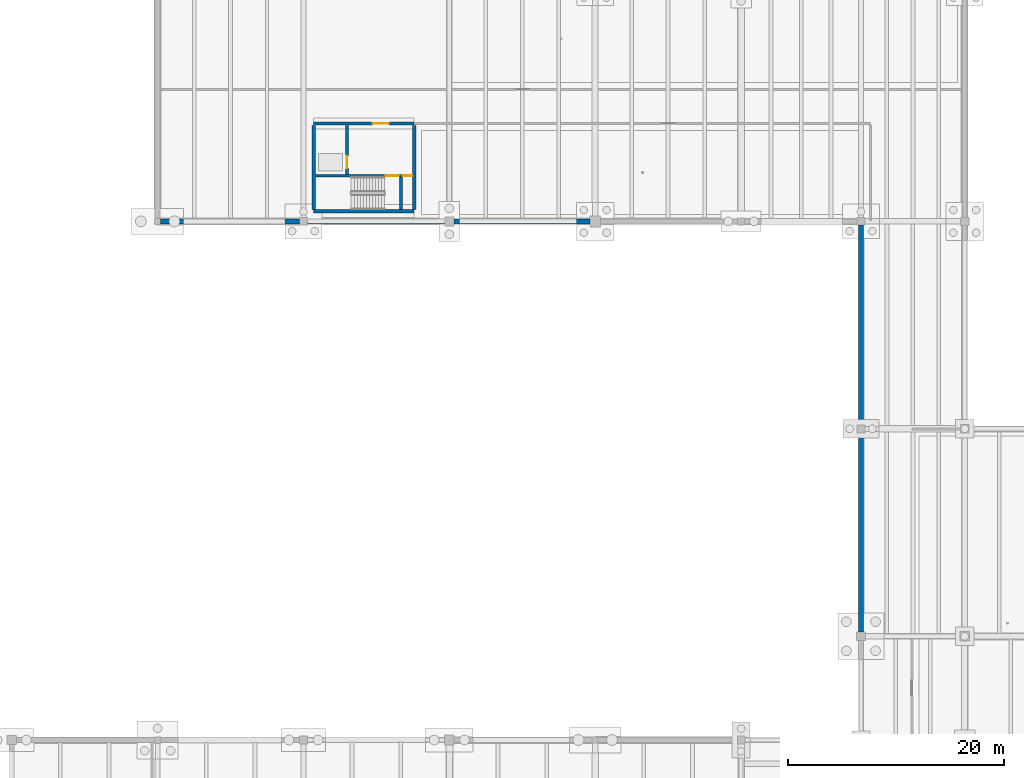
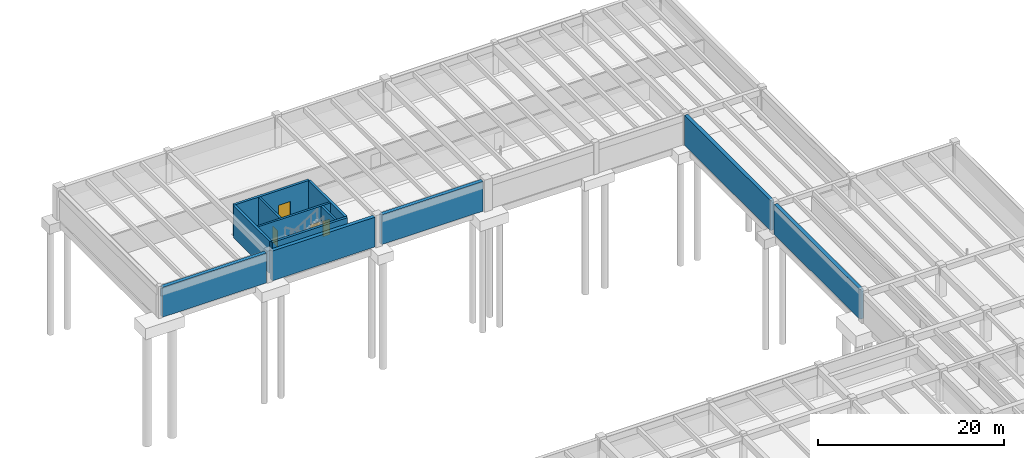
# One storey, part 19 of 41: 12 walls, 4 doors, 4 openings.
"""IFC4 building model written with IfcOpenShell, lengths in metres."""

from ifc_helpers import new_model, si_unit, direction, frame, frame_2d, origin, place, context, subcontext, project, spatial, rectangle, extrude, material, layer, layer_set, type_object, element, fill, save


model = new_model("IFC4")

# Units and contexts
model_context = context("Model", 3, precision=1e-05, world=origin(), true_north=direction((0.0, 1.0)))
body_context = subcontext(model_context, "Body", "Model", "MODEL_VIEW")
ifc_project = project(units=[si_unit("LENGTHUNIT", "METRE"), si_unit("AREAUNIT", "SQUARE_METRE"), si_unit("VOLUMEUNIT", "CUBIC_METRE"), si_unit("PLANEANGLEUNIT", "RADIAN"), si_unit("MASSUNIT", "GRAM", prefix="KILO")], contexts=[model_context])

# Site, building, storey
site_placement = place(None, origin())
site = spatial("IfcSite", under=ifc_project, at=site_placement, CompositionType="ELEMENT")
building_placement = place(site_placement, origin())
building = spatial("IfcBuilding", under=site, at=building_placement, Name="Fikremerkos Civic Library", CompositionType="ELEMENT")
storey_placement = place(building_placement, frame((0.0, 0.0, -8.39990234375)))
storey = spatial("IfcBuildingStorey", under=building, at=storey_placement, Name="B02", CompositionType="ELEMENT", Elevation=-8.39990234375)

# Walls
ifc_material_1 = material(Name="Concrete C40/50", Category="concrete")
ifc_layer_1 = layer(ifc_material_1, 0.449951171875, Name="Concrete C40/50")
ifc_layer_set_1 = layer_set([ifc_layer_1], Name="Concrete C40/50")
wall_type_1 = type_object("IfcWallType", Name="Basement retaining wall BRW-01 450", PredefinedType="USERDEFINED", material=ifc_layer_set_1)
wall_1_placement = place(storey_placement, frame((124.800048828125, 57.998046875, 0.0), z_axis=(0.0, 0.0, 1.0), x_axis=(0.0, 1.0, 0.0)))
element("IfcWall", 1, at=wall_1_placement, inside=storey, type_object=wall_type_1, Name="Basement retaining wall BRW-01 B02 #46", ObjectType="RETAINING WALL", PredefinedType="USERDEFINED", context=body_context, shape_type="SweptSolid", body=[
    extrude(rectangle(XDim=18.428955078125, YDim=0.449951171875, at=frame_2d((9.21435546875, 0.0))), origin(), (0.0, 0.0, 1.0), 3.89990234375),
])
wall_2_placement = place(storey_placement, frame((124.800048828125, 77.173095703125, 0.0), z_axis=(0.0, 0.0, 1.0), x_axis=(0.0, 1.0, 0.0)))
element("IfcWall", 2, at=wall_2_placement, inside=storey, type_object=wall_type_1, Name="Basement retaining wall BRW-01 B02 #47", ObjectType="RETAINING WALL", PredefinedType="USERDEFINED", context=body_context, shape_type="SweptSolid", body=[
    extrude(rectangle(XDim=18.47900390625, YDim=0.449951171875, at=frame_2d((9.239501953125, 0.0))), origin(), (0.0, 0.0, 1.0), 3.919921875),
])
wall_3_placement = place(storey_placement, frame((99.701904296875, 96.0, 0.0), z_axis=(0.0, 0.0, 1.0), x_axis=(-1.0, 0.0, 0.0)))
element("IfcWall", 3, at=wall_3_placement, inside=storey, type_object=wall_type_1, Name="Basement retaining wall BRW-01 B02 #50", ObjectType="RETAINING WALL", PredefinedType="USERDEFINED", context=body_context, shape_type="SweptSolid", body=[
    extrude(rectangle(XDim=12.578857421875, YDim=0.449951171875, at=frame_2d((6.28955078125, 0.0))), origin(), (0.0, 0.0, 1.0), 3.89990234375),
])
wall_4_placement = place(storey_placement, frame((86.277099609375, 96.0, 0.0), z_axis=(0.0, 0.0, 1.0), x_axis=(-1.0, 0.0, 0.0)))
element("IfcWall", 4, at=wall_4_placement, inside=storey, type_object=wall_type_1, Name="Basement retaining wall BRW-01 B02 #51", ObjectType="RETAINING WALL", PredefinedType="USERDEFINED", context=body_context, shape_type="SweptSolid", body=[
    extrude(rectangle(XDim=12.72900390625, YDim=0.449951171875, at=frame_2d((6.364501953125, 0.0))), origin(), (0.0, 0.0, 1.0), 3.89990234375),
])
wall_5_placement = place(storey_placement, frame((72.85205078125, 96.0, 0.0), z_axis=(0.0, 0.0, 1.0), x_axis=(-1.0, 0.0, 0.0)))
element("IfcWall", 5, at=wall_5_placement, inside=storey, type_object=wall_type_1, Name="Basement retaining wall BRW-01 B02 #52", ObjectType="RETAINING WALL", PredefinedType="USERDEFINED", context=body_context, shape_type="SweptSolid", body=[
    extrude(rectangle(XDim=12.879150390625, YDim=0.449951171875, at=frame_2d((6.439453125, 0.0))), origin(), (0.0, 0.0, 1.0), 3.89990234375),
])
ifc_layer_2 = layer(ifc_material_1, 0.300048828125, Name="Concrete C40/50")
ifc_layer_set_2 = layer_set([ifc_layer_2], Name="Concrete C40/50")
wall_type_2 = type_object("IfcWallType", Name="Core shear wall CSW-01 300", PredefinedType="SHEAR", material=ifc_layer_set_2)
wall_6_placement = place(storey_placement, frame((83.449951171875, 96.949951171875, 0.0), z_axis=(0.0, 0.0, 1.0), x_axis=(-1.0, 0.0, 0.0)))
element("IfcWall", 6, at=wall_6_placement, inside=storey, type_object=wall_type_2, Name="Core K5 south shear wall B02", PredefinedType="SHEAR", context=body_context, shape_type="SweptSolid", body=[
    extrude(rectangle(XDim=9.300048828125, YDim=0.300048828125, at=frame_2d((4.64990234375, 0.0))), origin(), (0.0, 0.0, 1.0), 4.199951171875),
])

# Wall, opening, door
wall_7_placement = place(storey_placement, frame((74.14990234375, 105.050048828125, 0.0), z_axis=(0.0, 0.0, 1.0), x_axis=(1.0, 0.0, 0.0)))
wall_7 = element("IfcWall", 7, at=wall_7_placement, inside=storey, type_object=wall_type_2, Name="Core K5 north shear wall B02", PredefinedType="SHEAR", context=body_context, shape_type="SweptSolid", body=[
    extrude(rectangle(XDim=9.300048828125, YDim=0.300048828125, at=frame_2d((4.64990234375, 0.0))), origin(), (0.0, 0.0, 1.0), 4.199951171875),
])
opening_1_placement = place(wall_7_placement, frame((5.449951171875, 0.0, 0.0)))
opening_1 = element("IfcOpeningElement", 8, at=opening_1_placement, cuts=wall_7, Name="Opening D116", PredefinedType="OPENING", context=body_context, shape_type="SweptSolid", body=[
    extrude(rectangle(XDim=1.5, YDim=2.25, at=frame_2d((0.75, 1.125))), frame((0.0, 0.159912109375, 0.0), z_axis=(0.0, -1.0, 0.0), x_axis=(1.0, 0.0, 0.0)), (0.0, 0.0, 1.0), 0.320068359375),
])
ifc_material_2 = material(Name="Hardwood timber and acoustic glass", Category="wood")
door_type_1 = type_object("IfcDoorType", Name="Pedestrian door DT-05 1500x2250", OperationType="NOTDEFINED", PredefinedType="DOOR", material=ifc_material_2)
door_1_placement = place(opening_1_placement, origin())
door_1 = element("IfcDoor", 9, at=door_1_placement, inside=storey, type_object=door_type_1, Name="Core K5 lobby fire door D116 B02", OperationType="SINGLE_SWING_RIGHT", OverallHeight=2.25, OverallWidth=1.5, PredefinedType="DOOR", context=body_context, shape_type="SweptSolid", body=[
    extrude(rectangle(XDim=1.5, YDim=2.25, at=frame_2d((0.75, 1.125))), frame((0.0, 0.032470703125, 0.0), z_axis=(0.0, -1.0, 0.0), x_axis=(1.0, 0.0, 0.0)), (0.0, 0.0, 1.0), 0.06494140625),
])
fill(opening_1, door_1)

# Walls
for number, where, z_axis, x_axis, name in (
    (10, (74.14990234375, 97.10205078125, 0.0), (0.0, 0.0, 1.0), (0.0, 1.0, 0.0), "Core K5 west shear wall B02"),
    (11, (83.449951171875, 104.89794921875, 0.0), (0.0, 0.0, 1.0), (0.0, -1.0, 0.0), "Core K5 east shear wall B02"),
):
    element("IfcWall", number, at=place(storey_placement, frame(where, z_axis=z_axis, x_axis=x_axis)), inside=storey, type_object=wall_type_2, Name=name, PredefinedType="SHEAR", context=body_context, shape_type="SweptSolid", body=[
        extrude(rectangle(XDim=7.7958984375, YDim=0.300048828125, at=frame_2d((3.89794921875, 0.0))), origin(), (0.0, 0.0, 1.0), 4.199951171875),
    ])

# Wall, openings, doors
ifc_layer_3 = layer(ifc_material_1, 0.260009765625, Name="Concrete C40/50")
ifc_layer_set_3 = layer_set([ifc_layer_3], Name="Concrete C40/50")
wall_type_3 = type_object("IfcWallType", Name="Core shear wall CSW-02 260", PredefinedType="SHEAR", material=ifc_layer_set_3)
wall_8_placement = place(storey_placement, frame((74.302001953125, 100.22998046875, 0.0), z_axis=(0.0, 0.0, 1.0), x_axis=(1.0, 0.0, 0.0)))
wall_8 = element("IfcWall", 12, at=wall_8_placement, inside=storey, type_object=wall_type_3, Name="Core K5 stair compartment wall B02", PredefinedType="SHEAR", context=body_context, shape_type="SweptSolid", body=[
    extrude(rectangle(XDim=8.99609375, YDim=0.260009765625, at=frame_2d((4.498046875, 0.0))), origin(), (0.0, 0.0, 1.0), 4.199951171875),
])
opening_2_placement = place(wall_8_placement, frame((6.498046875, 0.0, 0.0)))
opening_2 = element("IfcOpeningElement", 13, at=opening_2_placement, cuts=wall_8, Name="Opening D117", PredefinedType="OPENING", context=body_context, shape_type="SweptSolid", body=[
    extrude(rectangle(XDim=1.199951171875, YDim=2.199951171875, at=frame_2d((0.60009765625, 1.10009765625))), frame((0.0, 0.139892578125, 0.0), z_axis=(0.0, -1.0, 0.0), x_axis=(1.0, 0.0, 0.0)), (0.0, 0.0, 1.0), 0.280029296875),
])
opening_3_placement = place(wall_8_placement, frame((8.10302734375, 0.0, 0.0)))
opening_3 = element("IfcOpeningElement", 14, at=opening_3_placement, cuts=wall_8, Name="Opening D118", PredefinedType="OPENING", context=body_context, shape_type="SweptSolid", body=[
    extrude(rectangle(XDim=0.85009765625, YDim=2.050048828125, at=frame_2d((0.425048828125, 1.02490234375))), frame((0.0, 0.139892578125, 0.0), z_axis=(0.0, -1.0, 0.0), x_axis=(1.0, 0.0, 0.0)), (0.0, 0.0, 1.0), 0.280029296875),
])
door_type_2 = type_object("IfcDoorType", Name="Pedestrian door DT-06 1200x2200", OperationType="NOTDEFINED", PredefinedType="DOOR", material=ifc_material_2)
door_2_placement = place(opening_2_placement, origin())
door_2 = element("IfcDoor", 15, at=door_2_placement, inside=storey, type_object=door_type_2, Name="Core K5 stair fire door D117 B02", OperationType="SINGLE_SWING_RIGHT", OverallHeight=2.199951171875, OverallWidth=1.199951171875, PredefinedType="DOOR", context=body_context, shape_type="SweptSolid", body=[
    extrude(rectangle(XDim=1.199951171875, YDim=2.199951171875, at=frame_2d((0.60009765625, 1.10009765625))), frame((0.0, 0.032470703125, 0.0), z_axis=(0.0, -1.0, 0.0), x_axis=(1.0, 0.0, 0.0)), (0.0, 0.0, 1.0), 0.06494140625),
])
fill(opening_2, door_2)
door_type_3 = type_object("IfcDoorType", Name="Pedestrian door DT-08 850x2050", OperationType="NOTDEFINED", PredefinedType="DOOR", material=ifc_material_2)
door_3_placement = place(opening_3_placement, origin())
door_3 = element("IfcDoor", 16, at=door_3_placement, inside=storey, type_object=door_type_3, Name="Core K5 riser access fire door D118 B02", OperationType="SINGLE_SWING_LEFT", OverallHeight=2.050048828125, OverallWidth=0.85009765625, PredefinedType="DOOR", context=body_context, shape_type="SweptSolid", body=[
    extrude(rectangle(XDim=0.85009765625, YDim=2.050048828125, at=frame_2d((0.425048828125, 1.02490234375))), frame((0.0, 0.032470703125, 0.0), z_axis=(0.0, -1.0, 0.0), x_axis=(1.0, 0.0, 0.0)), (0.0, 0.0, 1.0), 0.06494140625),
])
fill(opening_3, door_3)

# Wall
wall_9_placement = place(storey_placement, frame((82.22998046875, 97.10205078125, 0.0), z_axis=(0.0, 0.0, 1.0), x_axis=(0.0, 1.0, 0.0)))
element("IfcWall", 17, at=wall_9_placement, inside=storey, type_object=wall_type_3, Name="Core K5 stair-riser shear wall B02", PredefinedType="SHEAR", context=body_context, shape_type="SweptSolid", body=[
    extrude(rectangle(XDim=2.995849609375, YDim=0.260009765625, at=frame_2d((1.498046875, 0.0))), origin(), (0.0, 0.0, 1.0), 4.199951171875),
])

# Wall, opening, door
wall_10_placement = place(storey_placement, frame((77.22998046875, 100.362060546875, 0.0), z_axis=(0.0, 0.0, 1.0), x_axis=(0.0, 1.0, 0.0)))
wall_10 = element("IfcWall", 18, at=wall_10_placement, inside=storey, type_object=wall_type_3, Name="Core K5 lift shaft front wall B02", PredefinedType="SHEAR", context=body_context, shape_type="SweptSolid", body=[
    extrude(rectangle(XDim=4.535888671875, YDim=0.260009765625, at=frame_2d((2.26806640625, 0.0))), origin(), (0.0, 0.0, 1.0), 4.199951171875),
])
opening_4_placement = place(wall_10_placement, frame((0.568115234375, 0.0, 0.0)))
opening_4 = element("IfcOpeningElement", 19, at=opening_4_placement, cuts=wall_10, Name="Opening LD54", PredefinedType="OPENING", context=body_context, shape_type="SweptSolid", body=[
    extrude(rectangle(XDim=1.10009765625, YDim=2.14990234375, at=frame_2d((0.550048828125, 1.074951171875))), frame((0.0, 0.139892578125, 0.0), z_axis=(0.0, -1.0, 0.0), x_axis=(1.0, 0.0, 0.0)), (0.0, 0.0, 1.0), 0.280029296875),
])
ifc_material_3 = material(Name="Brushed stainless steel", Category="steel")
door_type_4 = type_object("IfcDoorType", Name="Lift landing door LDT-01 1100x2150", OperationType="NOTDEFINED", PredefinedType="DOOR", material=ifc_material_3)
door_4_placement = place(opening_4_placement, origin())
door_4 = element("IfcDoor", 20, at=door_4_placement, inside=storey, type_object=door_type_4, Name="Lift LF08 sliding landing door LD54 B02", OperationType="SLIDING_TO_LEFT", OverallHeight=2.14990234375, OverallWidth=1.10009765625, PredefinedType="DOOR", context=body_context, shape_type="SweptSolid", body=[
    extrude(rectangle(XDim=1.10009765625, YDim=2.14990234375, at=frame_2d((0.550048828125, 1.074951171875))), frame((0.0, 0.032470703125, 0.0), z_axis=(0.0, -1.0, 0.0), x_axis=(1.0, 0.0, 0.0)), (0.0, 0.0, 1.0), 0.06494140625),
])
fill(opening_4, door_4)

save(model, "model.ifc")
